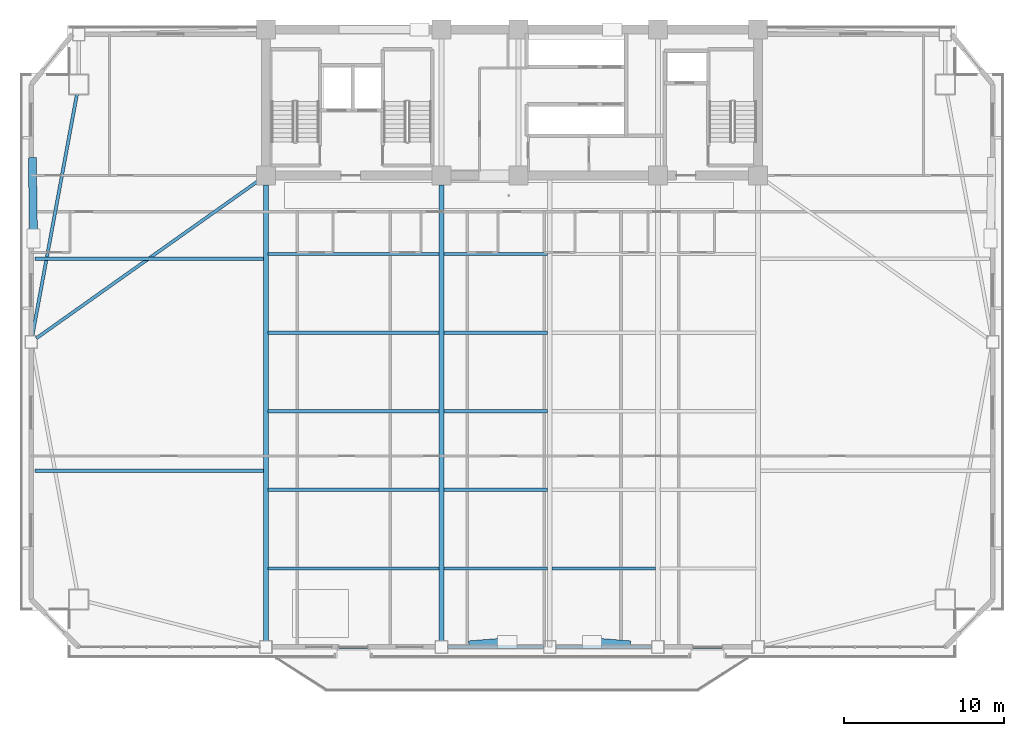
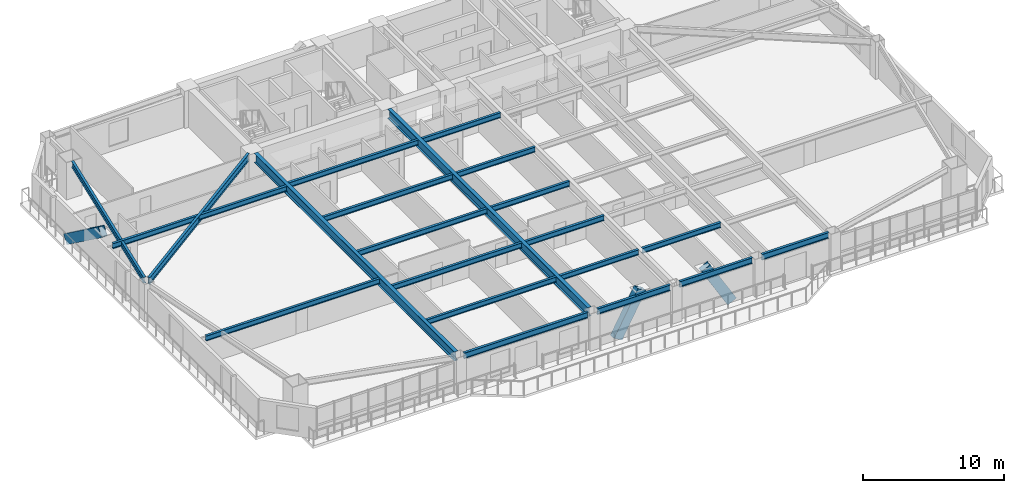
# One storey, part 3 of 17: 21 beams, 3 members.
"""IFC4 building model written with IfcOpenShell, lengths in metres."""

from ifc_helpers import new_model, si_unit, direction, frame, origin, origin_2d, place, context, subcontext, project, spatial, hollow_rectangle, i_section, extrude, source, transform, mapped, material, material_profile, profile_set, type_object, element, save


model = new_model("IFC4")

# Units and contexts
model_context = context("Model", 3, precision=1e-05, world=origin(), true_north=direction((0.0, 1.0)))
body_context = subcontext(model_context, "Body", "Model", "MODEL_VIEW")
ifc_project = project(units=[si_unit("LENGTHUNIT", "METRE"), si_unit("AREAUNIT", "SQUARE_METRE"), si_unit("VOLUMEUNIT", "CUBIC_METRE"), si_unit("PLANEANGLEUNIT", "RADIAN"), si_unit("MASSUNIT", "GRAM", prefix="KILO")], contexts=[model_context])

# Site, building, storey
site_placement = place(None, origin())
site = spatial("IfcSite", under=ifc_project, at=site_placement, CompositionType="ELEMENT")
building_placement = place(site_placement, origin())
building = spatial("IfcBuilding", under=site, at=building_placement, Name="Giltprow Tower", CompositionType="ELEMENT")
storey_placement = place(building_placement, frame((0.0, 0.0, 141.199951171875)))
storey = spatial("IfcBuildingStorey", under=building, at=storey_placement, Name="L34", CompositionType="ELEMENT", Elevation=141.199951171875)

# Beams
ifc_material_1 = material(Name="Structural steel Q355B", Category="steel")
ifc_material_profile_1 = material_profile(ifc_material_1, i_section(OverallWidth=0.199951171875, OverallDepth=0.449951171875, WebThickness=0.009033203125, FlangeThickness=0.013916015625, at=origin_2d()), Name="HN 450x200x9x14")
ifc_profile_set_1 = profile_set([ifc_material_profile_1], Name="Structural steel Q355B")
beam_type_1 = type_object("IfcBeamType", Name="BM-JOIST-HN450", PredefinedType="JOIST", material=ifc_profile_set_1)
shared_shape_1 = source(origin(), body_context, "Body", "SweptSolid", [
    extrude(i_section(OverallWidth=0.199951171875, OverallDepth=0.449951171875, WebThickness=0.009033203125, FlangeThickness=0.013916015625, at=origin_2d()), origin(), (0.0, 0.0, 1.0), 10.659912109375),
])
for number, where, z_axis, x_axis, name in (
    (1, (19.9951171875, 12.946044921875, 2.9951171875), (1.0, 0.0, 0.0), (0.0, 1.0, 0.0), "L34 Composite Floor Joist 1-1"),
    (2, (19.9951171875, 17.846923828125, 2.9951171875), (1.0, 0.0, 0.0), (0.0, 1.0, 0.0), "L34 Composite Floor Joist 2-1"),
    (3, (19.9951171875, 22.748046875, 2.9951171875), (1.0, 0.0, 0.0), (0.0, 1.0, 0.0), "L34 Composite Floor Joist 3-1"),
    (4, (19.9951171875, 27.64794921875, 2.9951171875), (1.0, 0.0, 0.0), (0.0, 1.0, 0.0), "L34 Composite Floor Joist 4-1"),
    (5, (19.9951171875, 32.549072265625, 2.9951171875), (1.0, 0.0, 0.0), (0.0, 1.0, 0.0), "L34 Composite Floor Joist 5-1"),
):
    element("IfcBeam", number, at=place(storey_placement, frame(where, z_axis=z_axis, x_axis=x_axis)), inside=storey, type_object=beam_type_1, Name=name, PredefinedType="JOIST", context=body_context, shape_type="MappedRepresentation", body=[
        mapped(shared_shape_1, transform((0.0, 0.0, 0.0), x_axis=(1.0, 0.0, 0.0), y_axis=(0.0, 1.0, 0.0), z_axis=(0.0, 0.0, 1.0), scale=1.0)),
    ])
shared_shape_2 = source(origin(), body_context, "Body", "SweptSolid", [
    extrude(i_section(OverallWidth=0.199951171875, OverallDepth=0.449951171875, WebThickness=0.009033203125, FlangeThickness=0.013916015625, at=origin_2d()), origin(), (0.0, 0.0, 1.0), 6.4599609375),
])
for number, where, z_axis, x_axis, name in (
    (6, (30.945068359375, 12.946044921875, 2.9951171875), (1.0, 0.0, 0.0), (0.0, 1.0, 0.0), "L34 Composite Floor Joist 1-2"),
    (7, (37.695068359375, 12.946044921875, 2.9951171875), (1.0, 0.0, 0.0), (0.0, 1.0, 0.0), "L34 Composite Floor Joist 1-3"),
    (8, (30.945068359375, 17.846923828125, 2.9951171875), (1.0, 0.0, 0.0), (0.0, 1.0, 0.0), "L34 Composite Floor Joist 2-2"),
    (9, (30.945068359375, 22.748046875, 2.9951171875), (1.0, 0.0, 0.0), (0.0, 1.0, 0.0), "L34 Composite Floor Joist 3-2"),
    (10, (30.945068359375, 27.64794921875, 2.9951171875), (1.0, 0.0, 0.0), (0.0, 1.0, 0.0), "L34 Composite Floor Joist 4-2"),
    (11, (30.945068359375, 32.549072265625, 2.9951171875), (1.0, 0.0, 0.0), (0.0, 1.0, 0.0), "L34 Composite Floor Joist 5-2"),
):
    element("IfcBeam", number, at=place(storey_placement, frame(where, z_axis=z_axis, x_axis=x_axis)), inside=storey, type_object=beam_type_1, Name=name, PredefinedType="JOIST", context=body_context, shape_type="MappedRepresentation", body=[
        mapped(shared_shape_2, transform((0.0, 0.0, 0.0), x_axis=(1.0, 0.0, 0.0), y_axis=(0.0, 1.0, 0.0), z_axis=(0.0, 0.0, 1.0), scale=1.0)),
    ])
shared_shape_3 = source(origin(), body_context, "Body", "SweptSolid", [
    extrude(i_section(OverallWidth=0.199951171875, OverallDepth=0.449951171875, WebThickness=0.009033203125, FlangeThickness=0.013916015625, at=origin_2d()), origin(), (0.0, 0.0, 1.0), 14.27099609375),
])
for number, where, z_axis, x_axis, name in (
    (12, (5.43408203125, 19.041015625, 2.9951171875), (1.0, 0.0, 0.0), (0.0, 1.0, 0.0), "L34 West Wing Floor Joist 1"),
    (13, (5.43408203125, 32.260986328125, 2.9951171875), (1.0, 0.0, 0.0), (0.0, 1.0, 0.0), "L34 West Wing Floor Joist 2"),
):
    element("IfcBeam", number, at=place(storey_placement, frame(where, z_axis=z_axis, x_axis=x_axis)), inside=storey, type_object=beam_type_1, Name=name, PredefinedType="JOIST", context=body_context, shape_type="MappedRepresentation", body=[
        mapped(shared_shape_3, transform((0.0, 0.0, 0.0), x_axis=(1.0, 0.0, 0.0), y_axis=(0.0, 1.0, 0.0), z_axis=(0.0, 0.0, 1.0), scale=1.0)),
    ])
ifc_material_profile_2 = material_profile(ifc_material_1, i_section(OverallWidth=0.199951171875, OverallDepth=0.5, WebThickness=0.010009765625, FlangeThickness=0.01611328125, at=origin_2d()), Name="HN 500x200x10x16")
ifc_profile_set_2 = profile_set([ifc_material_profile_2], Name="Structural steel Q355B")
beam_type_2 = type_object("IfcBeamType", Name="BM-SPAN-HN500", PredefinedType="SPANDREL", material=ifc_profile_set_2)
shared_shape_4 = source(origin(), body_context, "Body", "SweptSolid", [
    extrude(i_section(OverallWidth=0.199951171875, OverallDepth=0.5, WebThickness=0.010009765625, FlangeThickness=0.01611328125, at=origin_2d()), origin(), (0.0, 0.0, 1.0), 10.179931640625),
])
beam_1_placement = place(storey_placement, frame((20.235107421875, 8.044921875, 2.969970703125), z_axis=(1.0, 0.0, 0.0), x_axis=(0.0, 1.0, 0.0)))
element("IfcBeam", 14, at=beam_1_placement, inside=storey, type_object=beam_type_2, Name="L34 Perimeter Spandrel Beam S1-S2", PredefinedType="SPANDREL", context=body_context, shape_type="MappedRepresentation", body=[
    mapped(shared_shape_4, transform((0.0, 0.0, 0.0), x_axis=(1.0, 0.0, 0.0), y_axis=(0.0, 1.0, 0.0), z_axis=(0.0, 0.0, 1.0), scale=1.0)),
])
shared_shape_5 = source(origin(), body_context, "Body", "SweptSolid", [
    extrude(i_section(OverallWidth=0.199951171875, OverallDepth=0.5, WebThickness=0.010009765625, FlangeThickness=0.01611328125, at=origin_2d()), origin(), (0.0, 0.0, 1.0), 5.97998046875),
])
for number, where, z_axis, x_axis, name in (
    (15, (31.18505859375, 8.044921875, 2.969970703125), (1.0, 0.0, 0.0), (0.0, 1.0, 0.0), "L34 Perimeter Spandrel Beam S2-S_MID"),
    (16, (37.93505859375, 8.044921875, 2.969970703125), (1.0, 0.0, 0.0), (0.0, 1.0, 0.0), "L34 Perimeter Spandrel Beam S_MID-S3"),
):
    element("IfcBeam", number, at=place(storey_placement, frame(where, z_axis=z_axis, x_axis=x_axis)), inside=storey, type_object=beam_type_2, Name=name, PredefinedType="SPANDREL", context=body_context, shape_type="MappedRepresentation", body=[
        mapped(shared_shape_5, transform((0.0, 0.0, 0.0), x_axis=(1.0, 0.0, 0.0), y_axis=(0.0, 1.0, 0.0), z_axis=(0.0, 0.0, 1.0), scale=1.0)),
    ])
shared_shape_6 = source(origin(), body_context, "Body", "SweptSolid", [
    extrude(i_section(OverallWidth=0.199951171875, OverallDepth=0.5, WebThickness=0.010009765625, FlangeThickness=0.01611328125, at=origin_2d()), origin(), (0.0, 0.0, 1.0), 5.47998046875),
])
beam_2_placement = place(storey_placement, frame((44.68505859375, 8.044921875, 2.969970703125), z_axis=(1.0, 0.0, 0.0), x_axis=(0.0, 1.0, 0.0)))
element("IfcBeam", 17, at=beam_2_placement, inside=storey, type_object=beam_type_2, Name="L34 Perimeter Spandrel Beam S3-S4", PredefinedType="SPANDREL", context=body_context, shape_type="MappedRepresentation", body=[
    mapped(shared_shape_6, transform((0.0, 0.0, 0.0), x_axis=(1.0, 0.0, 0.0), y_axis=(0.0, 1.0, 0.0), z_axis=(0.0, 0.0, 1.0), scale=1.0)),
])
shared_shape_7 = source(origin(), body_context, "Body", "SweptSolid", [
    extrude(i_section(OverallWidth=0.199951171875, OverallDepth=0.5, WebThickness=0.010009765625, FlangeThickness=0.01611328125, at=origin_2d()), origin(), (0.0, 0.0, 1.0), 15.3134765625),
])
beam_3_placement = place(storey_placement, frame((8.06396484375, 42.510009765625, 2.969970703125), z_axis=(-0.181540600951, -0.98338345024, 0.0), x_axis=(0.98338345024, -0.181540600951, 0.0)))
element("IfcBeam", 18, at=beam_3_placement, inside=storey, type_object=beam_type_2, Name="L34 Perimeter Spandrel Beam MC_NW-W_MID", PredefinedType="SPANDREL", context=body_context, shape_type="MappedRepresentation", body=[
    mapped(shared_shape_7, transform((0.0, 0.0, 0.0), x_axis=(1.0, 0.0, 0.0), y_axis=(0.0, 1.0, 0.0), z_axis=(0.0, 0.0, 1.0), scale=1.0)),
])
ifc_material_profile_3 = material_profile(ifc_material_1, i_section(OverallWidth=0.300048828125, OverallDepth=0.800048828125, WebThickness=0.013916015625, FlangeThickness=0.02587890625, at=origin_2d()), Name="HN 800x300x14x26")
ifc_profile_set_3 = profile_set([ifc_material_profile_3], Name="Structural steel Q355B")
beam_type_3 = type_object("IfcBeamType", Name="BM-GIRD-HN800", PredefinedType="BEAM", material=ifc_profile_set_3)
shared_shape_8 = source(origin(), body_context, "Body", "SweptSolid", [
    extrude(i_section(OverallWidth=0.300048828125, OverallDepth=0.800048828125, WebThickness=0.013916015625, FlangeThickness=0.02587890625, at=origin_2d()), origin(), (0.0, 0.0, 1.0), 28.43505859375),
])
for number, where, z_axis, x_axis, name in (
    (19, (19.85009765625, 8.429931640625, 2.820068359375), (0.0, 1.0, 0.0), (-1.0, 0.0, 0.0), "L34 Primary Lease Girder S1"),
    (20, (30.800048828125, 8.429931640625, 2.820068359375), (0.0, 1.0, 0.0), (-1.0, 0.0, 0.0), "L34 Primary Lease Girder S2"),
):
    element("IfcBeam", number, at=place(storey_placement, frame(where, z_axis=z_axis, x_axis=x_axis)), inside=storey, type_object=beam_type_3, Name=name, PredefinedType="BEAM", context=body_context, shape_type="MappedRepresentation", body=[
        mapped(shared_shape_8, transform((0.0, 0.0, 0.0), x_axis=(1.0, 0.0, 0.0), y_axis=(0.0, 1.0, 0.0), z_axis=(0.0, 0.0, 1.0), scale=1.0)),
    ])
ifc_material_profile_4 = material_profile(ifc_material_1, i_section(OverallWidth=0.199951171875, OverallDepth=0.60009765625, WebThickness=0.010986328125, FlangeThickness=0.01708984375, at=origin_2d()), Name="HN 600x200x11x17")
ifc_profile_set_4 = profile_set([ifc_material_profile_4], Name="Structural steel Q355B")
beam_type_4 = type_object("IfcBeamType", Name="BM-GIRD-HN600", PredefinedType="BEAM", material=ifc_profile_set_4)
shared_shape_9 = source(origin(), body_context, "Body", "SweptSolid", [
    extrude(i_section(OverallWidth=0.199951171875, OverallDepth=0.60009765625, WebThickness=0.010986328125, FlangeThickness=0.01708984375, at=origin_2d()), origin(), (0.0, 0.0, 1.0), 16.972412109375),
])
beam_4_placement = place(storey_placement, frame((5.528076171875, 27.294921875, 2.920166015625), z_axis=(0.815738567685, 0.57842077175, 0.0), x_axis=(-0.57842077175, 0.815738567685, 0.0)))
element("IfcBeam", 21, at=beam_4_placement, inside=storey, type_object=beam_type_4, Name="L34 West Wing Primary Girder", PredefinedType="BEAM", context=body_context, shape_type="MappedRepresentation", body=[
    mapped(shared_shape_9, transform((0.0, 0.0, 0.0), x_axis=(1.0, 0.0, 0.0), y_axis=(0.0, 1.0, 0.0), z_axis=(0.0, 0.0, 1.0), scale=1.0)),
])

# Members
ifc_material_2 = material(Name="Structural steel Q420GJC", Category="steel")
ifc_material_profile_5 = material_profile(ifc_material_2, hollow_rectangle(XDim=0.5, YDim=0.800048828125, WallThickness=0.035888671875, at=origin_2d()), Name="RHS 800x500x36")
ifc_profile_set_5 = profile_set([ifc_material_profile_5], Name="Structural steel Q420GJC")
member_type = type_object("IfcMemberType", Name="MBR-MEGA-RHS800", PredefinedType="BRACE", material=ifc_profile_set_5)
shared_shape_10 = source(origin(), body_context, "Body", "SweptSolid", [
    extrude(hollow_rectangle(XDim=0.5, YDim=0.800048828125, WallThickness=0.035888671875, at=origin_2d()), origin(), (0.0, 0.0, 1.0), 4.061767578125),
])
member_1_placement = place(storey_placement, frame((32.85400390625, 8.205078125, 0.0), z_axis=(0.505910214461, 0.039609698388, 0.861676230784), x_axis=(-0.078055058076, 0.996949049806, 0.0)))
element("IfcMember", 22, at=member_1_placement, inside=storey, type_object=member_type, Name="L34 Chevron Mega-Brace S-L", PredefinedType="BRACE", context=body_context, shape_type="MappedRepresentation", body=[
    mapped(shared_shape_10, transform((0.0, 0.0, 0.0), x_axis=(1.0, 0.0, 0.0), y_axis=(0.0, 1.0, 0.0), z_axis=(0.0, 0.0, 1.0), scale=1.0)),
])
shared_shape_11 = source(origin(), body_context, "Body", "SweptSolid", [
    extrude(hollow_rectangle(XDim=0.5, YDim=0.800048828125, WallThickness=0.035888671875, at=origin_2d()), origin(), (0.0, 0.0, 1.0), 4.06201171875),
])
member_2_placement = place(storey_placement, frame((42.24609375, 8.205078125, 0.0), z_axis=(-0.505954934406, 0.039608493915, 0.861650028469), x_axis=(-0.078045842159, -0.996949771313, 0.0)))
element("IfcMember", 23, at=member_2_placement, inside=storey, type_object=member_type, Name="L34 Chevron Mega-Brace S-R", PredefinedType="BRACE", context=body_context, shape_type="MappedRepresentation", body=[
    mapped(shared_shape_11, transform((0.0, 0.0, 0.0), x_axis=(1.0, 0.0, 0.0), y_axis=(0.0, 1.0, 0.0), z_axis=(0.0, 0.0, 1.0), scale=1.0)),
])
shared_shape_12 = source(origin(), body_context, "Body", "SweptSolid", [
    extrude(hollow_rectangle(XDim=0.5, YDim=0.800048828125, WallThickness=0.035888671875, at=origin_2d()), origin(), (0.0, 0.0, 1.0), 5.947265625),
])
member_3_placement = place(storey_placement, frame((5.285888671875, 38.325927734375, 0.0), z_axis=(0.01194570988, -0.808408469673, 0.588500676445), x_axis=(0.999890840609, 0.014775211223, 0.0)))
element("IfcMember", 24, at=member_3_placement, inside=storey, type_object=member_type, Name="L34 Chevron Mega-Brace W-R", PredefinedType="BRACE", context=body_context, shape_type="MappedRepresentation", body=[
    mapped(shared_shape_12, transform((0.0, 0.0, 0.0), x_axis=(1.0, 0.0, 0.0), y_axis=(0.0, 1.0, 0.0), z_axis=(0.0, 0.0, 1.0), scale=1.0)),
])

save(model, "model.ifc")
